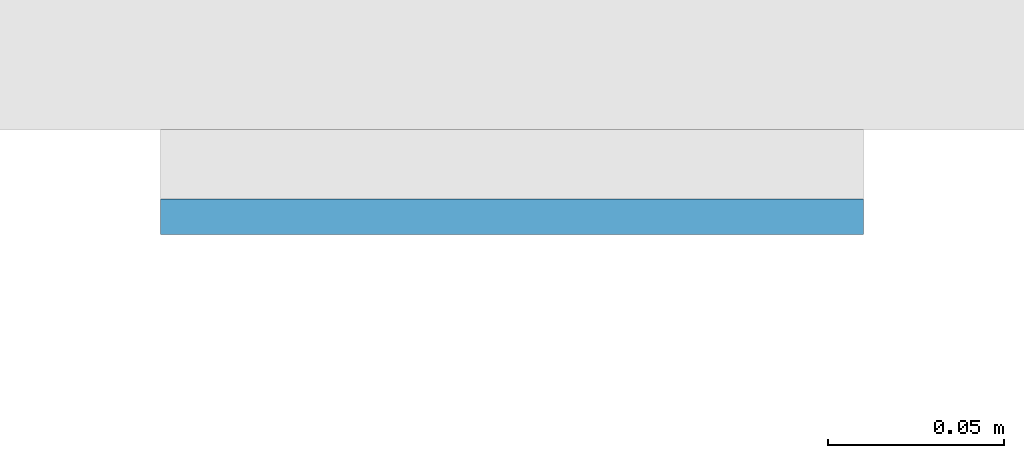
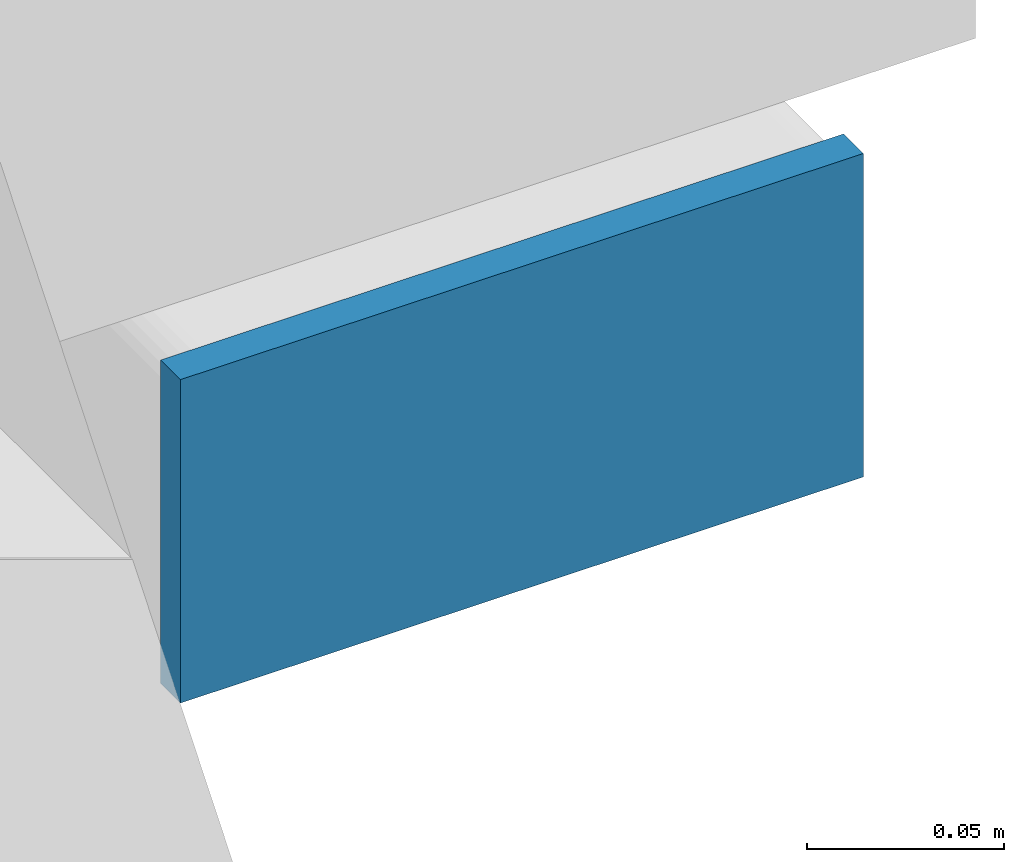
# One storey, part 10 of 20: 1 plate.
"""IFC4 building model written with IfcOpenShell, lengths in metres."""

from ifc_helpers import new_model, si_unit, direction, frame, origin, origin_2d, place, context, subcontext, project, spatial, rectangle, extrude, material, layer, layer_set, type_object, element, save


model = new_model("IFC4")

# Units and contexts
model_context = context("Model", 3, precision=1e-05, world=origin(), true_north=direction((0.0, 1.0)))
body_context = subcontext(model_context, "Body", "Model", "MODEL_VIEW")
ifc_project = project(units=[si_unit("LENGTHUNIT", "METRE"), si_unit("AREAUNIT", "SQUARE_METRE"), si_unit("VOLUMEUNIT", "CUBIC_METRE"), si_unit("PLANEANGLEUNIT", "RADIAN"), si_unit("MASSUNIT", "GRAM", prefix="KILO")], contexts=[model_context])

# Site, building, storey
site_placement = place(None, origin())
site = spatial("IfcSite", under=ifc_project, at=site_placement, CompositionType="ELEMENT")
building_placement = place(site_placement, origin())
building = spatial("IfcBuilding", under=site, at=building_placement, Name="Cleftline Residences", CompositionType="ELEMENT")
storey_placement = place(building_placement, frame((0.0, 0.0, 87.199951171875)))
storey = spatial("IfcBuildingStorey", under=building, at=storey_placement, Name="L22", CompositionType="ELEMENT", Elevation=87.199951171875)

# Plate
ifc_material = material(Name="Steel S355, hot-dip galvanised", Category="steel")
ifc_layer = layer(ifc_material, 0.010009765625)
ifc_layer_set = layer_set([ifc_layer], Name="BAGUETTE CARRIER END PLATE 200X100X10")
plate_type = type_object("IfcPlateType", Name="BAGUETTE CARRIER END PLATE 200X100X10", PredefinedType="USERDEFINED", material=ifc_layer_set)
plate_placement = place(storey_placement, frame((66.85009765625, 3.695068359375, -0.10009765625), z_axis=(0.0, 0.0, 1.0), x_axis=(1.0, 0.0, 0.0)))
element("IfcPlate", 1, at=plate_placement, inside=storey, type_object=plate_type, Name="Baguette carrier end plate", ObjectType="BAGUETTE CARRIER END PLATE", PredefinedType="USERDEFINED", context=body_context, shape_type="SweptSolid", body=[
    extrude(rectangle(XDim=0.199951171875, YDim=0.010009765625, at=origin_2d()), origin(), (0.0, 0.0, 1.0), 0.10009765625),
])

save(model, "model.ifc")
